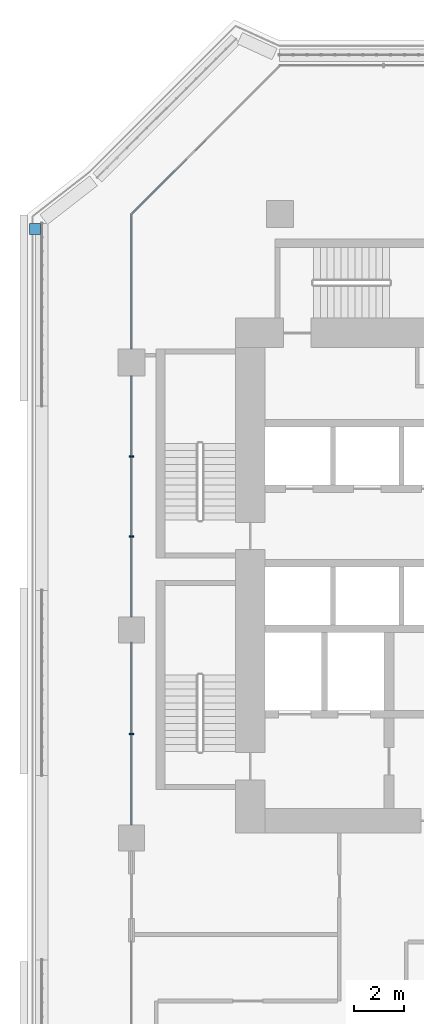
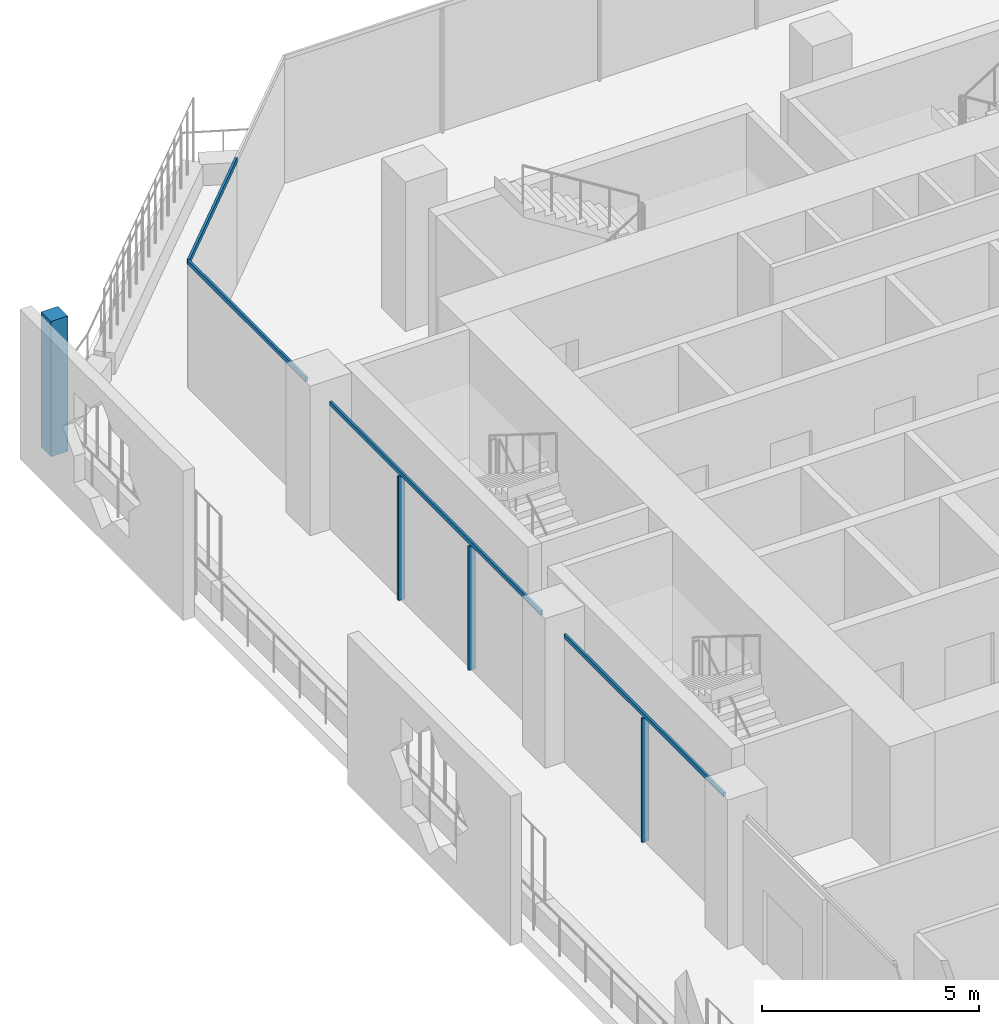
# One storey, part 5 of 27: 8 members, 3 elements without a shape of their own.
"""IFC4 building model written with IfcOpenShell, lengths in metres."""

import ifcopenshell
import ifcopenshell.guid

model = None  # the IFC model being written
_history = None  # IfcOwnerHistory: only IFC2X3 demands one
_inside = {}  # id of a spatial element -> (the spatial element, [elements in it])
_under = {}  # id of a project, library or spatial element -> (it, [spatial elements below it])
_declared = {}  # id of a project -> (the project, [libraries it declares])
_typed = {}  # id of a type object -> (the type object, [elements of that type])
_made_of = {}  # id of a material, layer set ... -> (it, [elements and type objects made of it])


def new_model(schema):
    """Start an empty IFC model of exactly this schema.

    Asked for "IFC4X3", IfcOpenShell would pick the latest addendum, in which some entities
    have other attributes; the version numbers below select the first issue.
    IFC2X3 requires an IfcOwnerHistory on every rooted entity: one is made here for all.
    """
    global model, _history
    if schema == "IFC4X3":
        model = ifcopenshell.file(schema_version=(4, 3, 0, 0))
    else:
        model = ifcopenshell.file(schema=schema)
    _inside.clear()
    _under.clear()
    _declared.clear()
    _typed.clear()
    _made_of.clear()
    _history = None
    if model.schema == "IFC2X3":
        org = make("IfcOrganization", Name="unknown")
        user = make(
            "IfcPersonAndOrganization",
            ThePerson=make("IfcPerson", FamilyName="unknown"),
            TheOrganization=org,
        )
        app = make(
            "IfcApplication",
            ApplicationDeveloper=org,
            Version="unknown",
            ApplicationFullName="unknown",
            ApplicationIdentifier="unknown",
        )
        _history = make(
            "IfcOwnerHistory",
            OwningUser=user,
            OwningApplication=app,
            ChangeAction="ADDED",
            CreationDate=0,
        )
    return model


def make(cls, **values):
    """One entity of the class cls with the attributes given. An attribute that is None is left unset."""
    return model.create_entity(
        cls, **{name: value for name, value in values.items() if value is not None}
    )


def rooted(cls, **values):
    """An entity with a GlobalId (a new one), such as an element, a storey or a relation."""
    return make(cls, GlobalId=ifcopenshell.guid.new(), OwnerHistory=_history, **values)


def si_unit(unit_type, name, prefix=None):
    """IfcSIUnit, for example si_unit("LENGTHUNIT", "METRE", prefix="MILLI")."""
    return make("IfcSIUnit", UnitType=unit_type, Prefix=prefix, Name=name)


def assignment(units):
    """IfcUnitAssignment: the units of a project."""
    return None if units is None else make("IfcUnitAssignment", Units=units)


def point(xyz):
    """IfcCartesianPoint."""
    return None if xyz is None else make("IfcCartesianPoint", Coordinates=xyz)


def direction(xyz):
    """IfcDirection."""
    return None if xyz is None else make("IfcDirection", DirectionRatios=xyz)


def frame(location, z_axis=None, x_axis=None):
    """IfcAxis2Placement3D, a coordinate frame: its origin and axes. An axis left out is left unset."""
    return make(
        "IfcAxis2Placement3D",
        Location=point(location),
        Axis=direction(z_axis),
        RefDirection=direction(x_axis),
    )


def frame_2d(location, x_axis=None):
    """IfcAxis2Placement2D, a coordinate frame in the plane: its origin and x axis."""
    return make(
        "IfcAxis2Placement2D", Location=point(location), RefDirection=direction(x_axis)
    )


def origin():
    """The frame at (0, 0, 0) with its axes left unset."""
    return frame((0.0, 0.0, 0.0))


def origin_2d():
    """The frame at (0, 0) in the plane with its x axis left unset."""
    return frame_2d((0.0, 0.0))


def place(relative_to, where):
    """IfcLocalPlacement: puts the frame where relative to a parent placement (None: the world)."""
    return make(
        "IfcLocalPlacement", PlacementRelTo=relative_to, RelativePlacement=where
    )


def context(
    kind, dimensions, precision=None, world=None, true_north=None, identifier=None
):
    """IfcGeometricRepresentationContext, for example the 3D "Model" context."""
    return make(
        "IfcGeometricRepresentationContext",
        ContextIdentifier=identifier,
        ContextType=kind,
        CoordinateSpaceDimension=dimensions,
        Precision=precision,
        WorldCoordinateSystem=world,
        TrueNorth=true_north,
    )


def subcontext(parent, identifier, kind, view, scale=None):
    """IfcGeometricRepresentationSubContext, for example "Body" below "Model"."""
    return make(
        "IfcGeometricRepresentationSubContext",
        ContextIdentifier=identifier,
        ContextType=kind,
        ParentContext=parent,
        TargetScale=scale,
        TargetView=view,
    )


def project(units=None, contexts=None):
    """IfcProject with its units and contexts."""
    return rooted(
        "IfcProject",
        Name="project",
        RepresentationContexts=contexts,
        UnitsInContext=assignment(units),
    )


def spatial(cls, under=None, at=None, **own):
    """A site, building, storey or space (cls), placed at a placement, below another one or the project."""
    s = rooted(cls, ObjectPlacement=at, **own)
    if under is not None:
        _under.setdefault(under.id(), (under, []))[1].append(s)
    return s


def profile(cls, at=None, kind="AREA", **sizes):
    """A parametric profile (cls). Its sizes go by their IFC names, for example OverallWidth=200.0."""
    return make(cls, ProfileType=kind, Position=at, **sizes)


def rectangle(**sizes):
    """IfcRectangleProfileDef."""
    return profile("IfcRectangleProfileDef", **sizes)


def extrude(swept, where, along, depth):
    """IfcExtrudedAreaSolid: the profile swept, set in the frame where, extruded along a direction by depth."""
    return make(
        "IfcExtrudedAreaSolid",
        SweptArea=swept,
        Position=where,
        ExtrudedDirection=direction(along),
        Depth=depth,
    )


def shape(context_of_items, identifier, shape_type, items):
    """IfcShapeRepresentation: the items that make up one representation, for example the "Body"."""
    return make(
        "IfcShapeRepresentation",
        ContextOfItems=context_of_items,
        RepresentationIdentifier=identifier,
        RepresentationType=shape_type,
        Items=items,
    )


def material(Name=None, Category=None):
    """IfcMaterial."""
    return make("IfcMaterial", Name=Name, Category=Category)


def layer(
    of_material, thickness, ventilated=None, Name=None, Category=None, Priority=None
):
    """IfcMaterialLayer: one layer of a wall or slab, of a material (None: an air gap)."""
    return make(
        "IfcMaterialLayer",
        Material=of_material,
        LayerThickness=thickness,
        IsVentilated=ventilated,
        Name=Name,
        Category=Category,
        Priority=Priority,
    )


def layer_set(layers, Name=None):
    """IfcMaterialLayerSet."""
    return make("IfcMaterialLayerSet", MaterialLayers=layers, LayerSetName=Name)


def material_profile(
    of_material, cross_section, Name=None, Category=None, Priority=None
):
    """IfcMaterialProfile: a cross section and its material."""
    return make(
        "IfcMaterialProfile",
        Name=Name,
        Material=of_material,
        Profile=cross_section,
        Priority=Priority,
        Category=Category,
    )


def profile_set(profiles, Name=None, composite=None):
    """IfcMaterialProfileSet."""
    return make(
        "IfcMaterialProfileSet",
        Name=Name,
        MaterialProfiles=profiles,
        CompositeProfile=composite,
    )


def made_of(thing, what):
    """Note that an element or type object is made of a material, layer set ...; save() writes the relation."""
    if what is not None:
        _made_of.setdefault(what.id(), (what, []))[1].append(thing)
    return thing


def type_object(cls, material=None, **own):
    """A type object (cls), such as IfcWallType, which elements share."""
    return made_of(rooted(cls, **own), material)


def element(
    cls,
    number,
    at=None,
    inside=None,
    cuts=None,
    type_object=None,
    material=None,
    context=None,
    identifier="Body",
    shape_type=None,
    held_by="IfcProductDefinitionShape",
    body=None,
    shapes=None,
    **own,
):
    """One element of the class cls, such as IfcWall. Its Tag is "e" and its number.

    at: its placement. inside: the storey or other place that contains it. cuts: it is an
    opening in that element (IfcRelVoidsElement). A single representation is given by context,
    identifier, shape_type and body (its items); several are given by shapes. held_by: the class
    of the entity that holds the representations. save() writes the other relations.
    """
    e = rooted(cls, Tag="e%d" % number, ObjectPlacement=at, **own)
    if body is not None:
        shapes = [shape(context, identifier, shape_type, body)]
    if shapes is not None:
        e.Representation = make(held_by, Representations=shapes)
    if inside is not None:
        _inside.setdefault(inside.id(), (inside, []))[1].append(e)
    if cuts is not None:
        rooted(
            "IfcRelVoidsElement", RelatingBuildingElement=cuts, RelatedOpeningElement=e
        )
    if type_object is not None:
        _typed.setdefault(type_object.id(), (type_object, []))[1].append(e)
    return made_of(e, material)


def aggregate(whole, parts):
    """IfcRelAggregates: a whole, such as a stair, and the parts it consists of."""
    return rooted("IfcRelAggregates", RelatingObject=whole, RelatedObjects=parts)


def save(model, path):
    """Write the relations noted so far, then the file.

    IfcRelAggregates (storeys below a building ...), IfcRelContainedInSpatialStructure (elements
    in a storey), IfcRelDefinesByType, IfcRelAssociatesMaterial and IfcRelDeclares: one each for
    every whole, place, type object, material and project.
    """
    for whole, parts in _under.values():
        aggregate(whole, parts)
    for where, things in _inside.values():
        rooted(
            "IfcRelContainedInSpatialStructure",
            RelatedElements=things,
            RelatingStructure=where,
        )
    for kind, things in _typed.values():
        rooted("IfcRelDefinesByType", RelatedObjects=things, RelatingType=kind)
    for what, things in _made_of.values():
        rooted("IfcRelAssociatesMaterial", RelatedObjects=things, RelatingMaterial=what)
    for by, libraries in _declared.values():
        rooted("IfcRelDeclares", RelatingContext=by, RelatedDefinitions=libraries)
    model.write(path)


model = new_model("IFC4")

# Units and contexts
model_context = context("Model", 3, precision=1e-05, world=origin(), true_north=direction((0.0, 1.0)))
body_context = subcontext(model_context, "Body", "Model", "MODEL_VIEW")
ifc_project = project(units=[si_unit("LENGTHUNIT", "METRE"), si_unit("AREAUNIT", "SQUARE_METRE"), si_unit("VOLUMEUNIT", "CUBIC_METRE"), si_unit("PLANEANGLEUNIT", "RADIAN"), si_unit("MASSUNIT", "GRAM", prefix="KILO")], contexts=[model_context])

# Site, building, storey
site_placement = place(None, origin())
site = spatial("IfcSite", under=ifc_project, at=site_placement, CompositionType="ELEMENT")
building_placement = place(site_placement, origin())
building = spatial("IfcBuilding", under=site, at=building_placement, Name="Kawkab Arch Medical Tower", CompositionType="ELEMENT")
storey_placement = place(building_placement, frame((0.0, 0.0, 115.60009765625)))
storey = spatial("IfcBuildingStorey", under=building, at=storey_placement, Name="L26", CompositionType="ELEMENT", Elevation=115.60009765625)

# Curtain wall, members
ifc_material_1 = material(Name="Bronze anodised aluminium curtain wall frame", Category="aluminium")
ifc_layer_1 = layer(ifc_material_1, 0.159912109375)
ifc_layer_set_1 = layer_set([ifc_layer_1], Name="Bronze anodised aluminium curtain wall frame")
curtain_wall_type_1 = type_object("IfcCurtainWallType", Name="CW1 ward curtain wall", PredefinedType="NOTDEFINED", material=ifc_layer_set_1)
placement = place(storey_placement, origin())
curtain_wall_1 = element("IfcCurtainWall", 1, at=placement, inside=storey, type_object=curtain_wall_type_1, Name="CW1 Ward curtain wall R01", PredefinedType="NOTDEFINED")
ifc_material_2 = material(Name="Bronze anodised aluminium curtain wall frame", Category="aluminium")
ifc_material_profile_1 = material_profile(ifc_material_2, rectangle(XDim=0.179931640625, YDim=0.06005859375, at=origin_2d()), Name="AL 60x180")
ifc_profile_set_1 = profile_set([ifc_material_profile_1], Name="Bronze anodised aluminium curtain wall frame")
member_type_1 = type_object("IfcMemberType", Name="CW1 mullion 60 x 180", PredefinedType="MULLION", material=ifc_profile_set_1)
member_1_placement = place(storey_placement, frame((0.0, -9.791748046875, 0.0), z_axis=(0.0, 0.0, 1.0), x_axis=(1.0, 0.0, 0.0)))
member_1 = element("IfcMember", 2, at=member_1_placement, type_object=member_type_1, Name="CW1 mullion 2.1", PredefinedType="MULLION", context=body_context, shape_type="SweptSolid", body=[
    extrude(rectangle(XDim=0.179931640625, YDim=0.06005859375, at=origin_2d()), origin(), (0.0, 0.0, 1.0), 3.47998046875),
])
member_2_placement = place(storey_placement, frame((0.0, -13.033447265625, 0.0), z_axis=(0.0, 0.0, 1.0), x_axis=(1.0, 0.0, 0.0)))
member_2 = element("IfcMember", 3, at=member_2_placement, type_object=member_type_1, Name="CW1 mullion 2.2", PredefinedType="MULLION", context=body_context, shape_type="SweptSolid", body=[
    extrude(rectangle(XDim=0.179931640625, YDim=0.06005859375, at=origin_2d()), origin(), (0.0, 0.0, 1.0), 3.47998046875),
])
member_3_placement = place(storey_placement, frame((0.0, -21.0, 0.0), z_axis=(0.0, 0.0, 1.0), x_axis=(1.0, 0.0, 0.0)))
member_3 = element("IfcMember", 4, at=member_3_placement, type_object=member_type_1, Name="CW1 mullion 3.1", PredefinedType="MULLION", context=body_context, shape_type="SweptSolid", body=[
    extrude(rectangle(XDim=0.179931640625, YDim=0.06005859375, at=origin_2d()), origin(), (0.0, 0.0, 1.0), 3.47998046875),
])
ifc_material_3 = material(Name="Bronze anodised aluminium curtain wall frame", Category="aluminium")
ifc_material_profile_2 = material_profile(ifc_material_3, rectangle(XDim=0.06005859375, YDim=0.1201171875, at=origin_2d()), Name="AL 60x120")
ifc_profile_set_2 = profile_set([ifc_material_profile_2], Name="Bronze anodised aluminium curtain wall frame")
member_type_2 = type_object("IfcMemberType", Name="CW1 transom 120 x 60", PredefinedType="USERDEFINED", material=ifc_profile_set_2)
member_4_placement = place(storey_placement, frame((0.0, 0.0, 3.539794921875), z_axis=(0.0, -1.0, 0.0), x_axis=(1.0, 0.0, 0.0)))
member_4 = element("IfcMember", 5, at=member_4_placement, type_object=member_type_2, Name="CW1 transom 1", ObjectType="TRANSOM", PredefinedType="USERDEFINED", context=body_context, shape_type="SweptSolid", body=[
    extrude(rectangle(XDim=0.06005859375, YDim=0.1201171875, at=origin_2d()), origin(), (0.0, 0.0, 1.0), 5.449951171875),
])
member_5_placement = place(storey_placement, frame((0.0, -6.550048828125, 3.539794921875), z_axis=(0.0, -1.0, 0.0), x_axis=(1.0, 0.0, 0.0)))
member_5 = element("IfcMember", 6, at=member_5_placement, type_object=member_type_2, Name="CW1 transom 2", ObjectType="TRANSOM", PredefinedType="USERDEFINED", context=body_context, shape_type="SweptSolid", body=[
    extrude(rectangle(XDim=0.06005859375, YDim=0.1201171875, at=origin_2d()), origin(), (0.0, 0.0, 1.0), 9.724853515625),
])
member_6_placement = place(storey_placement, frame((0.0, -17.324951171875, 3.539794921875), z_axis=(0.0, -1.0, 0.0), x_axis=(1.0, 0.0, 0.0)))
member_6 = element("IfcMember", 7, at=member_6_placement, type_object=member_type_2, Name="CW1 transom 3", ObjectType="TRANSOM", PredefinedType="USERDEFINED", context=body_context, shape_type="SweptSolid", body=[
    extrude(rectangle(XDim=0.06005859375, YDim=0.1201171875, at=origin_2d()), origin(), (0.0, 0.0, 1.0), 7.35009765625),
])
aggregate(curtain_wall_1, [member_4, member_5, member_1, member_2, member_6, member_3])

# Curtain wall, member
ifc_material_4 = material(Name="Bronze anodised aluminium curtain wall frame", Category="aluminium")
ifc_layer_2 = layer(ifc_material_4, 0.159912109375)
ifc_layer_set_2 = layer_set([ifc_layer_2], Name="Bronze anodised aluminium curtain wall frame")
curtain_wall_type_2 = type_object("IfcCurtainWallType", Name="CW2 chamfer curtain wall", PredefinedType="NOTDEFINED", material=ifc_layer_set_2)
curtain_wall_2 = element("IfcCurtainWall", 8, at=placement, inside=storey, type_object=curtain_wall_type_2, Name="CW2 Chamfer curtain wall R12", PredefinedType="NOTDEFINED")
ifc_material_5 = material(Name="Bronze anodised aluminium curtain wall frame", Category="aluminium")
ifc_material_profile_3 = material_profile(ifc_material_5, rectangle(XDim=0.06005859375, YDim=0.139892578125, at=origin_2d()), Name="AL 60x140")
ifc_profile_set_3 = profile_set([ifc_material_profile_3], Name="Bronze anodised aluminium curtain wall frame")
member_type_3 = type_object("IfcMemberType", Name="CW2 transom 140 x 60", PredefinedType="USERDEFINED", material=ifc_profile_set_3)
member_7_placement = place(storey_placement, frame((3.0, 3.0, 3.52978515625), z_axis=(-0.707106781187, -0.707106781187, 0.0), x_axis=(0.707106781187, -0.707106781187, 0.0)))
member_7 = element("IfcMember", 9, at=member_7_placement, type_object=member_type_3, Name="CW2 transom 2", ObjectType="TRANSOM", PredefinedType="USERDEFINED", context=body_context, shape_type="SweptSolid", body=[
    extrude(rectangle(XDim=0.06005859375, YDim=0.139892578125, at=origin_2d()), origin(), (0.0, 0.0, 1.0), 4.24267578125),
])
aggregate(curtain_wall_2, [member_7])

ifc_material_6 = material(Name="Bronze anodised aluminium climber frame, planted", Category="aluminium")
ifc_layer_3 = layer(ifc_material_6, 0.449951171875)
ifc_layer_set_3 = layer_set([ifc_layer_3], Name="Bronze anodised aluminium climber frame, planted")
curtain_wall_type_3 = type_object("IfcCurtainWallType", Name="Planted climber frame", PredefinedType="NOTDEFINED", material=ifc_layer_set_3)
curtain_wall_3 = element("IfcCurtainWall", 10, at=placement, inside=storey, type_object=curtain_wall_type_3, Name="Planted climber frame L26", PredefinedType="NOTDEFINED")
ifc_material_7 = material(Name="Bronze anodised aluminium climber frame, planted", Category="aluminium")
ifc_material_profile_4 = material_profile(ifc_material_7, rectangle(XDim=0.449951171875, YDim=0.449951171875, at=origin_2d()), Name="Post 450x450")
ifc_profile_set_4 = profile_set([ifc_material_profile_4], Name="Bronze anodised aluminium climber frame, planted")
member_type_4 = type_object("IfcMemberType", Name="Planted climber post 450 x 450", PredefinedType="MULLION", material=ifc_profile_set_4)
member_8_placement = place(storey_placement, frame((-3.89990234375, -0.596923828125, 0.0), z_axis=(0.0, 0.0, 1.0), x_axis=(1.0, 0.0, 0.0)))
member_8 = element("IfcMember", 11, at=member_8_placement, type_object=member_type_4, Name="Planted climber post L26.LOG-01-01.2", PredefinedType="MULLION", context=body_context, shape_type="SweptSolid", body=[
    extrude(rectangle(XDim=0.449951171875, YDim=0.449951171875, at=origin_2d()), origin(), (0.0, 0.0, 1.0), 3.7998046875),
])
aggregate(curtain_wall_3, [member_8])

save(model, "model.ifc")
